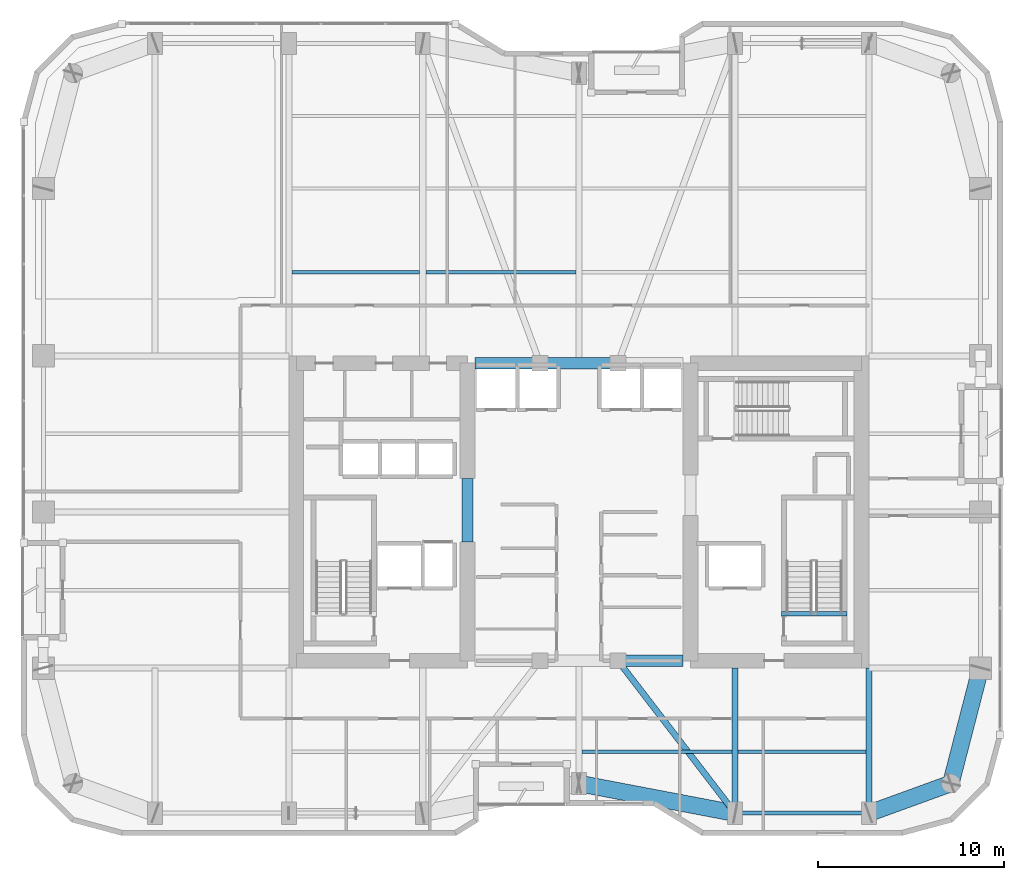
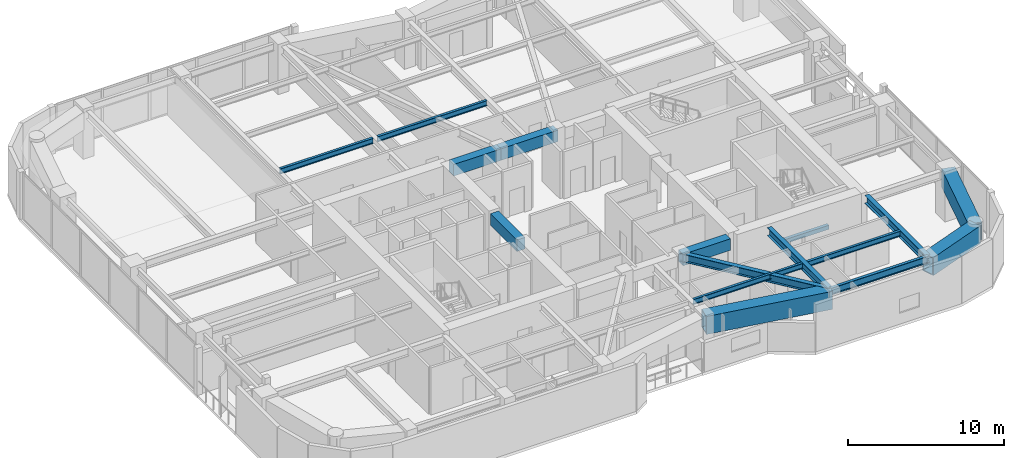
# One storey, part 8 of 30: 16 beams.
"""IFC4 building model written with IfcOpenShell, lengths in metres."""

from ifc_helpers import new_model, si_unit, direction, frame, origin, origin_2d, place, context, subcontext, project, spatial, rectangle, hollow_rectangle, i_section, extrude, material, material_profile, profile_set, type_object, element, save


model = new_model("IFC4")

# Units and contexts
model_context = context("Model", 3, precision=1e-05, world=origin(), true_north=direction((0.0, 1.0)))
body_context = subcontext(model_context, "Body", "Model", "MODEL_VIEW")
ifc_project = project(units=[si_unit("LENGTHUNIT", "METRE"), si_unit("AREAUNIT", "SQUARE_METRE"), si_unit("VOLUMEUNIT", "CUBIC_METRE"), si_unit("PLANEANGLEUNIT", "RADIAN"), si_unit("MASSUNIT", "GRAM", prefix="KILO")], contexts=[model_context])

# Site, building, storey
site_placement = place(None, origin())
site = spatial("IfcSite", under=ifc_project, at=site_placement, CompositionType="ELEMENT")
building_placement = place(site_placement, origin())
building = spatial("IfcBuilding", under=site, at=building_placement, Name="Kiyonajd Concourse Tower", CompositionType="ELEMENT")
storey_placement = place(building_placement, frame((0.0, 0.0, 170.10009765625)))
storey = spatial("IfcBuildingStorey", under=building, at=storey_placement, Name="L43", CompositionType="ELEMENT", Elevation=170.10009765625)

# Beams
ifc_material_1 = material(Name="Concrete C60/75", Category="concrete")
ifc_material_profile_1 = material_profile(ifc_material_1, rectangle(XDim=0.60009765625, YDim=0.89990234375, at=origin_2d()), Name="RCBM-600x900")
ifc_profile_set_1 = profile_set([ifc_material_profile_1], Name="Concrete C60/75")
beam_type_1 = type_object("IfcBeamType", Name="BM-COUP-900", PredefinedType="LINTEL", material=ifc_profile_set_1)
for number, where, z_axis, x_axis, name in (
    (1, (50.10009765625, 28.0, 3.22998046875), (1.0, 0.0, 0.0), (0.0, 1.0, 0.0), "L43 Core Coupling Beam S3"),
    (2, (42.39990234375, 44.0, 3.22998046875), (1.0, 0.0, 0.0), (0.0, 1.0, 0.0), "L43 Core Coupling Beam N1"),
):
    element("IfcBeam", number, at=place(storey_placement, frame(where, z_axis=z_axis, x_axis=x_axis)), inside=storey, type_object=beam_type_1, Name=name, PredefinedType="LINTEL", context=body_context, shape_type="SweptSolid", body=[
        extrude(rectangle(XDim=0.60009765625, YDim=0.89990234375, at=origin_2d()), origin(), (0.0, 0.0, 1.0), 3.5),
    ])
beam_1_placement = place(storey_placement, frame((45.89990234375, 44.0, 3.22998046875), z_axis=(1.0, 0.0, 0.0), x_axis=(0.0, 1.0, 0.0)))
element("IfcBeam", 3, at=beam_1_placement, inside=storey, type_object=beam_type_1, Name="L43 Core Coupling Beam N2", PredefinedType="LINTEL", context=body_context, shape_type="SweptSolid", body=[
    extrude(rectangle(XDim=0.60009765625, YDim=0.89990234375, at=origin_2d()), origin(), (0.0, 0.0, 1.0), 4.2001953125),
])
beam_2_placement = place(storey_placement, frame((42.0, 34.39990234375, 3.22998046875), z_axis=(0.0, 1.0, 0.0), x_axis=(-1.0, 0.0, 0.0)))
element("IfcBeam", 4, at=beam_2_placement, inside=storey, type_object=beam_type_1, Name="L43 West Core Throat Coupling Lintel", PredefinedType="LINTEL", context=body_context, shape_type="SweptSolid", body=[
    extrude(rectangle(XDim=0.60009765625, YDim=0.89990234375, at=origin_2d()), origin(), (0.0, 0.0, 1.0), 3.400146484375),
])
ifc_material_2 = material(Name="Steel ASTM A992 Grade 50", Category="steel")
ifc_material_profile_2 = material_profile(ifc_material_2, i_section(OverallWidth=0.180908203125, OverallDepth=0.4169921875, WebThickness=0.010986328125, FlangeThickness=0.018310546875, at=origin_2d()), Name="W410X85")
ifc_profile_set_2 = profile_set([ifc_material_profile_2], Name="Steel ASTM A992 Grade 50")
beam_type_2 = type_object("IfcBeamType", Name="BM-JST-410", PredefinedType="JOIST", material=ifc_profile_set_2)
beam_3_placement = place(storey_placement, frame((48.16357421875, 23.10009765625, 3.471435546875), z_axis=(1.0, 0.0, 0.0), x_axis=(0.0, 1.0, 0.0)))
element("IfcBeam", 5, at=beam_3_placement, inside=storey, type_object=beam_type_2, Name="L43 Secondary Floor Joist", PredefinedType="JOIST", context=body_context, shape_type="SweptSolid", body=[
    extrude(i_section(OverallWidth=0.180908203125, OverallDepth=0.4169921875, WebThickness=0.010986328125, FlangeThickness=0.018310546875, at=origin_2d()), origin(), (0.0, 0.0, 1.0), 8.072998046875),
])
for number, where, z_axis, x_axis, name in (
    (6, (56.5634765625, 23.10009765625, 3.471435546875), (1.0, 0.0, 0.0), (0.0, 1.0, 0.0), "L43 Secondary Floor Joist"),
    (7, (32.5634765625, 48.89990234375, 3.471435546875), (1.0, 0.0, 0.0), (0.0, 1.0, 0.0), "L43 Secondary Floor Joist"),
):
    element("IfcBeam", number, at=place(storey_placement, frame(where, z_axis=z_axis, x_axis=x_axis)), inside=storey, type_object=beam_type_2, Name=name, PredefinedType="JOIST", context=body_context, shape_type="SweptSolid", body=[
        extrude(i_section(OverallWidth=0.180908203125, OverallDepth=0.4169921875, WebThickness=0.010986328125, FlangeThickness=0.018310546875, at=origin_2d()), origin(), (0.0, 0.0, 1.0), 6.873046875),
    ])
beam_4_placement = place(storey_placement, frame((39.763427734375, 48.89990234375, 3.471435546875), z_axis=(1.0, 0.0, 0.0), x_axis=(0.0, 1.0, 0.0)))
element("IfcBeam", 8, at=beam_4_placement, inside=storey, type_object=beam_type_2, Name="L43 Secondary Floor Joist", PredefinedType="JOIST", context=body_context, shape_type="SweptSolid", body=[
    extrude(i_section(OverallWidth=0.180908203125, OverallDepth=0.4169921875, WebThickness=0.010986328125, FlangeThickness=0.018310546875, at=origin_2d()), origin(), (0.0, 0.0, 1.0), 8.072998046875),
])
ifc_material_3 = material(Name="Concrete C50/60", Category="concrete")
ifc_material_profile_3 = material_profile(ifc_material_3, rectangle(XDim=0.239990234375, YDim=0.320068359375, at=origin_2d()), Name="RCBM-240x320")
ifc_profile_set_3 = profile_set([ifc_material_profile_3], Name="Concrete C50/60")
beam_type_3 = type_object("IfcBeamType", Name="BM-LNT-250", PredefinedType="LINTEL", material=ifc_profile_set_3)
beam_5_placement = place(storey_placement, frame((58.889892578125, 30.530029296875, -0.16015625), z_axis=(1.0, 0.0, 0.0), x_axis=(0.0, 1.0, 0.0)))
element("IfcBeam", 9, at=beam_5_placement, inside=storey, type_object=beam_type_3, Name="L43 Stair ST2 Threshold Support Beam", PredefinedType="LINTEL", context=body_context, shape_type="SweptSolid", body=[
    extrude(rectangle(XDim=0.239990234375, YDim=0.320068359375, at=origin_2d()), origin(), (0.0, 0.0, 1.0), 3.52001953125),
])
ifc_material_profile_4 = material_profile(ifc_material_2, i_section(OverallWidth=0.214111328125, OverallDepth=0.549072265625, WebThickness=0.0146484375, FlangeThickness=0.023681640625, at=origin_2d()), Name="W530X138")
ifc_profile_set_4 = profile_set([ifc_material_profile_4], Name="Steel ASTM A992 Grade 50")
beam_type_4 = type_object("IfcBeamType", Name="BM-SPAN-530A", PredefinedType="SPANDREL", material=ifc_profile_set_4)
beam_6_placement = place(storey_placement, frame((56.39990234375, 19.800048828125, 3.405517578125), z_axis=(1.0, 0.0, 0.0), x_axis=(0.0, 1.0, 0.0)))
element("IfcBeam", 10, at=beam_6_placement, inside=storey, type_object=beam_type_4, Name="L43 Perimeter Bundled Tube Spandrel", PredefinedType="SPANDREL", context=body_context, shape_type="SweptSolid", body=[
    extrude(i_section(OverallWidth=0.214111328125, OverallDepth=0.549072265625, WebThickness=0.0146484375, FlangeThickness=0.023681640625, at=origin_2d()), origin(), (0.0, 0.0, 1.0), 7.2001953125),
])
ifc_material_profile_5 = material_profile(ifc_material_2, i_section(OverallWidth=0.326904296875, OverallDepth=0.6220703125, WebThickness=0.015380859375, FlangeThickness=0.0244140625, at=origin_2d()), Name="W610X195")
ifc_profile_set_5 = profile_set([ifc_material_profile_5], Name="Steel ASTM A992 Grade 50")
beam_type_5 = type_object("IfcBeamType", Name="BM-TWR-610A", PredefinedType="BEAM", material=ifc_profile_set_5)
beam_7_placement = place(storey_placement, frame((50.10009765625, 28.0, 3.368896484375), z_axis=(0.609233709922, -0.792990722956, 0.0), x_axis=(0.792990722956, 0.609233709922, 0.0)))
element("IfcBeam", 11, at=beam_7_placement, inside=storey, type_object=beam_type_5, Name="L43 Core Tie Girder", PredefinedType="BEAM", context=body_context, shape_type="SweptSolid", body=[
    extrude(i_section(OverallWidth=0.326904296875, OverallDepth=0.6220703125, WebThickness=0.015380859375, FlangeThickness=0.0244140625, at=origin_2d()), origin(), (0.0, 0.0, 1.0), 10.340576171875),
])
for number, where, z_axis, x_axis, name in (
    (12, (56.39990234375, 19.800048828125, 3.368896484375), (0.0, 1.0, 0.0), (-1.0, 0.0, 0.0), "L43 South Lease Girder"),
    (13, (63.60009765625, 19.800048828125, 3.368896484375), (0.0, 1.0, 0.0), (-1.0, 0.0, 0.0), "L43 South Lease Girder"),
):
    element("IfcBeam", number, at=place(storey_placement, frame(where, z_axis=z_axis, x_axis=x_axis)), inside=storey, type_object=beam_type_5, Name=name, PredefinedType="BEAM", context=body_context, shape_type="SweptSolid", body=[
        extrude(i_section(OverallWidth=0.326904296875, OverallDepth=0.6220703125, WebThickness=0.015380859375, FlangeThickness=0.0244140625, at=origin_2d()), origin(), (0.0, 0.0, 1.0), 7.800048828125),
    ])
ifc_material_4 = material(Name="Steel ASTM A572 Grade 50", Category="steel")
ifc_material_profile_6 = material_profile(ifc_material_4, hollow_rectangle(XDim=0.89990234375, YDim=1.39990234375, WallThickness=0.070068359375, at=origin_2d()), Name="BOX-1400x900x70")
ifc_profile_set_6 = profile_set([ifc_material_profile_6], Name="Steel ASTM A572 Grade 50")
beam_type_6 = type_object("IfcBeamType", Name="BM-XFER-1400", PredefinedType="BEAM", material=ifc_profile_set_6)
beam_8_placement = place(storey_placement, frame((48.0, 21.39990234375, 2.97998046875), z_axis=(0.982341315253, -0.187097675953, 0.0), x_axis=(0.187097675953, 0.982341315253, 0.0)))
element("IfcBeam", 14, at=beam_8_placement, inside=storey, type_object=beam_type_6, Name="L43 Perimeter Bundled Tube Spandrel", PredefinedType="BEAM", context=body_context, shape_type="SweptSolid", body=[
    extrude(hollow_rectangle(XDim=0.89990234375, YDim=1.39990234375, WallThickness=0.070068359375, at=origin_2d()), origin(), (0.0, 0.0, 1.0), 8.55078125),
])
beam_9_placement = place(storey_placement, frame((63.60009765625, 19.800048828125, 2.97998046875), z_axis=(0.939801036019, 0.341722127901, 0.0), x_axis=(-0.341722127901, 0.939801036019, 0.0)))
element("IfcBeam", 15, at=beam_9_placement, inside=storey, type_object=beam_type_6, Name="L43 Perimeter Bundled Tube Spandrel", PredefinedType="BEAM", context=body_context, shape_type="SweptSolid", body=[
    extrude(hollow_rectangle(XDim=0.89990234375, YDim=1.39990234375, WallThickness=0.070068359375, at=origin_2d()), origin(), (0.0, 0.0, 1.0), 4.681640625),
])
beam_10_placement = place(storey_placement, frame((68.0, 21.39990234375, 2.97998046875), z_axis=(0.249884937687, 0.968275538221, 0.0), x_axis=(-0.968275538221, 0.249884937687, 0.0)))
element("IfcBeam", 16, at=beam_10_placement, inside=storey, type_object=beam_type_6, Name="L43 Perimeter Bundled Tube Spandrel", PredefinedType="BEAM", context=body_context, shape_type="SweptSolid", body=[
    extrude(hollow_rectangle(XDim=0.89990234375, YDim=1.39990234375, WallThickness=0.070068359375, at=origin_2d()), origin(), (0.0, 0.0, 1.0), 6.4033203125),
])

save(model, "model.ifc")
